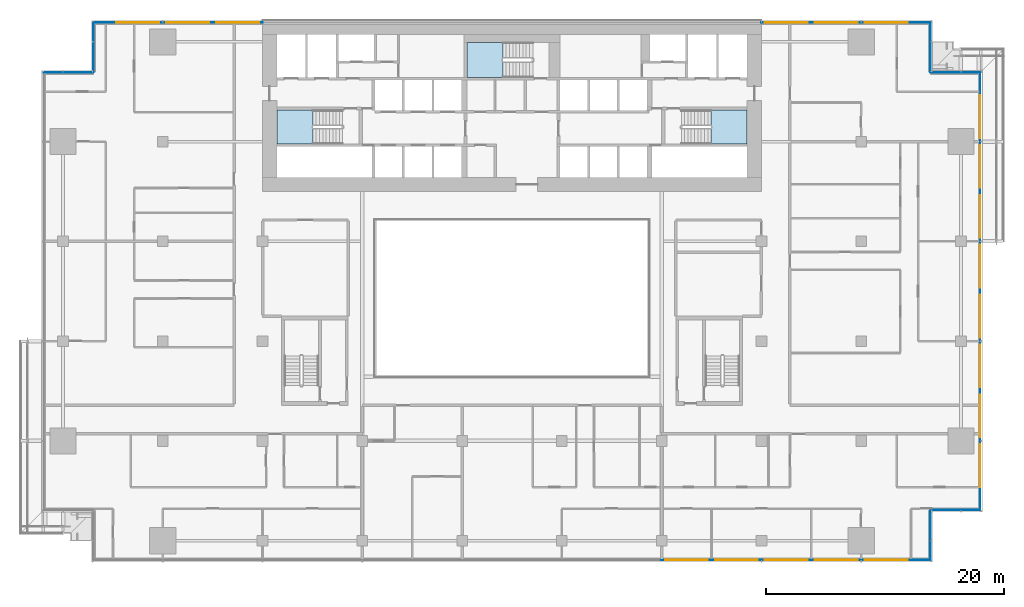
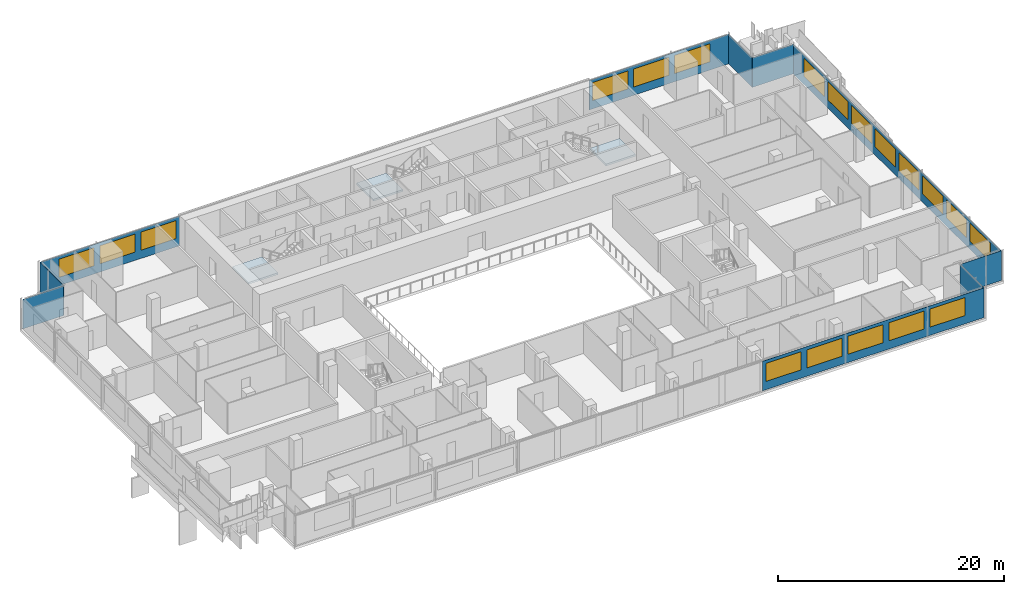
# One storey, part 15 of 27: 19 windows, 10 plates, 3 slabs, 19 openings, 12 elements without a shape of their own.
"""IFC4 building model written with IfcOpenShell, lengths in metres."""

from ifc_helpers import new_model, si_unit, direction, frame, frame_2d, origin, place, context, subcontext, project, spatial, polyline, rectangle, outline, extrude, material, layer, layer_set, type_object, element, fill, aggregate, save


model = new_model("IFC4")

# Units and contexts
model_context = context("Model", 3, precision=1e-05, world=origin(), true_north=direction((0.0, 1.0)))
body_context = subcontext(model_context, "Body", "Model", "MODEL_VIEW")
ifc_project = project(units=[si_unit("LENGTHUNIT", "METRE"), si_unit("AREAUNIT", "SQUARE_METRE"), si_unit("VOLUMEUNIT", "CUBIC_METRE"), si_unit("PLANEANGLEUNIT", "RADIAN"), si_unit("MASSUNIT", "GRAM", prefix="KILO")], contexts=[model_context])

# Site, building, storey
site_placement = place(None, origin())
site = spatial("IfcSite", under=ifc_project, at=site_placement, CompositionType="ELEMENT")
building_placement = place(site_placement, origin())
building = spatial("IfcBuilding", under=site, at=building_placement, Name="Saffron Gate Tower", CompositionType="ELEMENT")
storey_placement = place(building_placement, frame((0.0, 0.0, 76.800048828125)))
storey = spatial("IfcBuildingStorey", under=building, at=storey_placement, Name="L18", CompositionType="ELEMENT", Elevation=76.800048828125)

# Curtain wall, plate, openings, windows
ifc_material_1 = material(Name="Aluminium, bronze anodised", Category="aluminium")
curtain_wall_type_1 = type_object("IfcCurtainWallType", Name="CWS1 curtain wall front facade", PredefinedType="NOTDEFINED", material=ifc_material_1)
curtain_wall_1_placement = place(storey_placement, origin())
curtain_wall_1 = element("IfcCurtainWall", 1, at=curtain_wall_1_placement, inside=storey, type_object=curtain_wall_type_1, Name="CWS1 run 1", PredefinedType="NOTDEFINED")
ifc_material_2 = material(Name="Fritted bronze-tinted laminated glass", Category="glass")
ifc_layer_1 = layer(ifc_material_2, 0.028076171875)
ifc_layer_set_1 = layer_set([ifc_layer_1], Name="CWS1 fixed glass")
plate_type_1 = type_object("IfcPlateType", Name="CWS1 fixed glass", PredefinedType="CURTAIN_PANEL", material=ifc_layer_set_1)
plate_1_placement = place(storey_placement, frame((100.169921875, 30.174072265625, 0.0), z_axis=(0.0, 0.0, 1.0), x_axis=(1.0, 0.0, 0.0)))
plate_1 = element("IfcPlate", 2, at=plate_1_placement, type_object=plate_type_1, Name="CWS1 glass panel", PredefinedType="CURTAIN_PANEL", context=body_context, shape_type="SweptSolid", body=[
    extrude(rectangle(XDim=22.64208984375, YDim=0.028076171875, at=frame_2d((11.321044921875, 0.0))), origin(), (0.0, 0.0, 1.0), 3.199951171875),
])
opening_1_placement = place(plate_1_placement, frame((0.330078125, 0.0, 0.89990234375)))
opening_1 = element("IfcOpeningElement", 3, at=opening_1_placement, cuts=plate_1, Name="Opening W1", PredefinedType="OPENING", context=body_context, shape_type="SweptSolid", body=[
    extrude(rectangle(XDim=3.60009765625, YDim=1.949951171875, at=frame_2d((1.800048828125, 0.97509765625))), frame((0.0, 0.02392578125, 0.0), z_axis=(0.0, -1.0, 0.0), x_axis=(1.0, 0.0, 0.0)), (0.0, 0.0, 1.0), 0.048095703125),
])
opening_2_placement = place(plate_1_placement, frame((4.530029296875, 0.0, 0.89990234375)))
opening_2 = element("IfcOpeningElement", 4, at=opening_2_placement, cuts=plate_1, Name="Opening W1", PredefinedType="OPENING", context=body_context, shape_type="SweptSolid", body=[
    extrude(rectangle(XDim=3.60009765625, YDim=1.949951171875, at=frame_2d((1.800048828125, 0.97509765625))), frame((0.0, 0.02392578125, 0.0), z_axis=(0.0, -1.0, 0.0), x_axis=(1.0, 0.0, 0.0)), (0.0, 0.0, 1.0), 0.048095703125),
])
opening_3_placement = place(plate_1_placement, frame((8.72998046875, 0.0, 0.89990234375)))
opening_3 = element("IfcOpeningElement", 5, at=opening_3_placement, cuts=plate_1, Name="Opening W1", PredefinedType="OPENING", context=body_context, shape_type="SweptSolid", body=[
    extrude(rectangle(XDim=3.60009765625, YDim=1.949951171875, at=frame_2d((1.800048828125, 0.97509765625))), frame((0.0, 0.02392578125, 0.0), z_axis=(0.0, -1.0, 0.0), x_axis=(1.0, 0.0, 0.0)), (0.0, 0.0, 1.0), 0.048095703125),
])
opening_4_placement = place(plate_1_placement, frame((12.929931640625, 0.0, 0.89990234375)))
opening_4 = element("IfcOpeningElement", 6, at=opening_4_placement, cuts=plate_1, Name="Opening W1", PredefinedType="OPENING", context=body_context, shape_type="SweptSolid", body=[
    extrude(rectangle(XDim=3.60009765625, YDim=1.949951171875, at=frame_2d((1.800048828125, 0.97509765625))), frame((0.0, 0.02392578125, 0.0), z_axis=(0.0, -1.0, 0.0), x_axis=(1.0, 0.0, 0.0)), (0.0, 0.0, 1.0), 0.048095703125),
])
opening_5_placement = place(plate_1_placement, frame((17.1298828125, 0.0, 0.89990234375)))
opening_5 = element("IfcOpeningElement", 7, at=opening_5_placement, cuts=plate_1, Name="Opening W1", PredefinedType="OPENING", context=body_context, shape_type="SweptSolid", body=[
    extrude(rectangle(XDim=3.60009765625, YDim=1.949951171875, at=frame_2d((1.800048828125, 0.97509765625))), frame((0.0, 0.02392578125, 0.0), z_axis=(0.0, -1.0, 0.0), x_axis=(1.0, 0.0, 0.0)), (0.0, 0.0, 1.0), 0.048095703125),
])
ifc_material_3 = material(Name="Fritted bronze-tinted laminated glass in bronze frame", Category="glass")
ifc_layer_2 = layer(ifc_material_3, 0.06005859375)
ifc_layer_set_2 = layer_set([ifc_layer_2], Name="W1 operable panel 3600x1950")
window_type = type_object("IfcWindowType", Name="W1 operable panel 3600x1950", PartitioningType="DOUBLE_PANEL_HORIZONTAL", PredefinedType="WINDOW", material=ifc_layer_set_2)
window_1_placement = place(opening_1_placement, origin())
window_1 = element("IfcWindow", 8, at=window_1_placement, type_object=window_type, Name="W1 operable panel", OverallHeight=1.949951171875, OverallWidth=3.60009765625, PartitioningType="SINGLE_PANEL", PredefinedType="WINDOW", context=body_context, shape_type="SweptSolid", body=[
    extrude(rectangle(XDim=3.60009765625, YDim=1.949951171875, at=frame_2d((1.800048828125, 0.97509765625))), frame((0.0, 0.013671875, 0.0), z_axis=(0.0, -1.0, 0.0), x_axis=(1.0, 0.0, 0.0)), (0.0, 0.0, 1.0), 0.027587890625),
])
fill(opening_1, window_1)
window_2_placement = place(opening_2_placement, origin())
window_2 = element("IfcWindow", 9, at=window_2_placement, type_object=window_type, Name="W1 operable panel", OverallHeight=1.949951171875, OverallWidth=3.60009765625, PartitioningType="SINGLE_PANEL", PredefinedType="WINDOW", context=body_context, shape_type="SweptSolid", body=[
    extrude(rectangle(XDim=3.60009765625, YDim=1.949951171875, at=frame_2d((1.800048828125, 0.97509765625))), frame((0.0, 0.013671875, 0.0), z_axis=(0.0, -1.0, 0.0), x_axis=(1.0, 0.0, 0.0)), (0.0, 0.0, 1.0), 0.027587890625),
])
fill(opening_2, window_2)
window_3_placement = place(opening_3_placement, origin())
window_3 = element("IfcWindow", 10, at=window_3_placement, type_object=window_type, Name="W1 operable panel", OverallHeight=1.949951171875, OverallWidth=3.60009765625, PartitioningType="SINGLE_PANEL", PredefinedType="WINDOW", context=body_context, shape_type="SweptSolid", body=[
    extrude(rectangle(XDim=3.60009765625, YDim=1.949951171875, at=frame_2d((1.800048828125, 0.97509765625))), frame((0.0, 0.013671875, 0.0), z_axis=(0.0, -1.0, 0.0), x_axis=(1.0, 0.0, 0.0)), (0.0, 0.0, 1.0), 0.027587890625),
])
fill(opening_3, window_3)
window_4_placement = place(opening_4_placement, origin())
window_4 = element("IfcWindow", 11, at=window_4_placement, type_object=window_type, Name="W1 operable panel", OverallHeight=1.949951171875, OverallWidth=3.60009765625, PartitioningType="SINGLE_PANEL", PredefinedType="WINDOW", context=body_context, shape_type="SweptSolid", body=[
    extrude(rectangle(XDim=3.60009765625, YDim=1.949951171875, at=frame_2d((1.800048828125, 0.97509765625))), frame((0.0, 0.013671875, 0.0), z_axis=(0.0, -1.0, 0.0), x_axis=(1.0, 0.0, 0.0)), (0.0, 0.0, 1.0), 0.027587890625),
])
fill(opening_4, window_4)
window_5_placement = place(opening_5_placement, origin())
window_5 = element("IfcWindow", 12, at=window_5_placement, type_object=window_type, Name="W1 operable panel", OverallHeight=1.949951171875, OverallWidth=3.60009765625, PartitioningType="SINGLE_PANEL", PredefinedType="WINDOW", context=body_context, shape_type="SweptSolid", body=[
    extrude(rectangle(XDim=3.60009765625, YDim=1.949951171875, at=frame_2d((1.800048828125, 0.97509765625))), frame((0.0, 0.013671875, 0.0), z_axis=(0.0, -1.0, 0.0), x_axis=(1.0, 0.0, 0.0)), (0.0, 0.0, 1.0), 0.027587890625),
])
fill(opening_5, window_5)
aggregate(curtain_wall_1, [plate_1, window_1, window_2, window_3, window_4, window_5])

curtain_wall_type_2 = type_object("IfcCurtainWallType", Name="CWS2 curtain wall side facades", PredefinedType="NOTDEFINED", material=ifc_material_1)
curtain_wall_2_placement = place(storey_placement, origin())
curtain_wall_2 = element("IfcCurtainWall", 13, at=curtain_wall_2_placement, inside=storey, type_object=curtain_wall_type_2, Name="CWS2 run 4", PredefinedType="NOTDEFINED")
ifc_layer_3 = layer(ifc_material_2, 0.028076171875)
ifc_layer_set_3 = layer_set([ifc_layer_3], Name="CWS2 fixed glass")
plate_type_2 = type_object("IfcPlateType", Name="CWS2 fixed glass", PredefinedType="CURTAIN_PANEL", material=ifc_layer_set_3)
plate_2_placement = place(storey_placement, frame((127.02587890625, 34.387939453125, 0.0), z_axis=(0.0, 0.0, 1.0), x_axis=(0.0, 1.0, 0.0)))
plate_2 = element("IfcPlate", 14, at=plate_2_placement, type_object=plate_type_2, Name="CWS2 glass panel", PredefinedType="CURTAIN_PANEL", context=body_context, shape_type="SweptSolid", body=[
    extrude(rectangle(XDim=36.823974609375, YDim=0.028076171875, at=frame_2d((18.412109375, 0.0))), origin(), (0.0, 0.0, 1.0), 3.199951171875),
])
opening_6_placement = place(plate_2_placement, frame((1.912109375, 0.0, 0.89990234375)))
opening_6 = element("IfcOpeningElement", 15, at=opening_6_placement, cuts=plate_2, Name="Opening W1", PredefinedType="OPENING", context=body_context, shape_type="SweptSolid", body=[
    extrude(rectangle(XDim=3.60009765625, YDim=1.949951171875, at=frame_2d((1.800048828125, 0.97509765625))), frame((0.0, 0.02392578125, 0.0), z_axis=(0.0, -1.0, 0.0), x_axis=(1.0, 0.0, 0.0)), (0.0, 0.0, 1.0), 0.048095703125),
])
opening_7_placement = place(plate_2_placement, frame((6.112060546875, 0.0, 0.89990234375)))
opening_7 = element("IfcOpeningElement", 16, at=opening_7_placement, cuts=plate_2, Name="Opening W1", PredefinedType="OPENING", context=body_context, shape_type="SweptSolid", body=[
    extrude(rectangle(XDim=3.60009765625, YDim=1.949951171875, at=frame_2d((1.800048828125, 0.97509765625))), frame((0.0, 0.02392578125, 0.0), z_axis=(0.0, -1.0, 0.0), x_axis=(1.0, 0.0, 0.0)), (0.0, 0.0, 1.0), 0.048095703125),
])
opening_8_placement = place(plate_2_placement, frame((10.31201171875, 0.0, 0.89990234375)))
opening_8 = element("IfcOpeningElement", 17, at=opening_8_placement, cuts=plate_2, Name="Opening W1", PredefinedType="OPENING", context=body_context, shape_type="SweptSolid", body=[
    extrude(rectangle(XDim=3.60009765625, YDim=1.949951171875, at=frame_2d((1.800048828125, 0.97509765625))), frame((0.0, 0.02392578125, 0.0), z_axis=(0.0, -1.0, 0.0), x_axis=(1.0, 0.0, 0.0)), (0.0, 0.0, 1.0), 0.048095703125),
])
opening_9_placement = place(plate_2_placement, frame((14.511962890625, 0.0, 0.89990234375)))
opening_9 = element("IfcOpeningElement", 18, at=opening_9_placement, cuts=plate_2, Name="Opening W1", PredefinedType="OPENING", context=body_context, shape_type="SweptSolid", body=[
    extrude(rectangle(XDim=3.60009765625, YDim=1.949951171875, at=frame_2d((1.800048828125, 0.97509765625))), frame((0.0, 0.02392578125, 0.0), z_axis=(0.0, -1.0, 0.0), x_axis=(1.0, 0.0, 0.0)), (0.0, 0.0, 1.0), 0.048095703125),
])
opening_10_placement = place(plate_2_placement, frame((18.7119140625, 0.0, 0.89990234375)))
opening_10 = element("IfcOpeningElement", 19, at=opening_10_placement, cuts=plate_2, Name="Opening W1", PredefinedType="OPENING", context=body_context, shape_type="SweptSolid", body=[
    extrude(rectangle(XDim=3.60009765625, YDim=1.949951171875, at=frame_2d((1.800048828125, 0.97509765625))), frame((0.0, 0.02392578125, 0.0), z_axis=(0.0, -1.0, 0.0), x_axis=(1.0, 0.0, 0.0)), (0.0, 0.0, 1.0), 0.048095703125),
])
opening_11_placement = place(plate_2_placement, frame((22.912109375, 0.0, 0.89990234375)))
opening_11 = element("IfcOpeningElement", 20, at=opening_11_placement, cuts=plate_2, Name="Opening W1", PredefinedType="OPENING", context=body_context, shape_type="SweptSolid", body=[
    extrude(rectangle(XDim=3.60009765625, YDim=1.949951171875, at=frame_2d((1.800048828125, 0.97509765625))), frame((0.0, 0.02392578125, 0.0), z_axis=(0.0, -1.0, 0.0), x_axis=(1.0, 0.0, 0.0)), (0.0, 0.0, 1.0), 0.048095703125),
])
opening_12_placement = place(plate_2_placement, frame((27.112060546875, 0.0, 0.89990234375)))
opening_12 = element("IfcOpeningElement", 21, at=opening_12_placement, cuts=plate_2, Name="Opening W1", PredefinedType="OPENING", context=body_context, shape_type="SweptSolid", body=[
    extrude(rectangle(XDim=3.60009765625, YDim=1.949951171875, at=frame_2d((1.800048828125, 0.97509765625))), frame((0.0, 0.02392578125, 0.0), z_axis=(0.0, -1.0, 0.0), x_axis=(1.0, 0.0, 0.0)), (0.0, 0.0, 1.0), 0.048095703125),
])
opening_13_placement = place(plate_2_placement, frame((31.31201171875, 0.0, 0.89990234375)))
opening_13 = element("IfcOpeningElement", 22, at=opening_13_placement, cuts=plate_2, Name="Opening W1", PredefinedType="OPENING", context=body_context, shape_type="SweptSolid", body=[
    extrude(rectangle(XDim=3.60009765625, YDim=1.949951171875, at=frame_2d((1.800048828125, 0.97509765625))), frame((0.0, 0.02392578125, 0.0), z_axis=(0.0, -1.0, 0.0), x_axis=(1.0, 0.0, 0.0)), (0.0, 0.0, 1.0), 0.048095703125),
])
window_6_placement = place(opening_6_placement, origin())
window_6 = element("IfcWindow", 23, at=window_6_placement, type_object=window_type, Name="W1 operable panel", OverallHeight=1.949951171875, OverallWidth=3.60009765625, PartitioningType="SINGLE_PANEL", PredefinedType="WINDOW", context=body_context, shape_type="SweptSolid", body=[
    extrude(rectangle(XDim=3.60009765625, YDim=1.949951171875, at=frame_2d((1.800048828125, 0.97509765625))), frame((0.0, 0.013671875, 0.0), z_axis=(0.0, -1.0, 0.0), x_axis=(1.0, 0.0, 0.0)), (0.0, 0.0, 1.0), 0.027587890625),
])
fill(opening_6, window_6)
window_7_placement = place(opening_7_placement, origin())
window_7 = element("IfcWindow", 24, at=window_7_placement, type_object=window_type, Name="W1 operable panel", OverallHeight=1.949951171875, OverallWidth=3.60009765625, PartitioningType="SINGLE_PANEL", PredefinedType="WINDOW", context=body_context, shape_type="SweptSolid", body=[
    extrude(rectangle(XDim=3.60009765625, YDim=1.949951171875, at=frame_2d((1.800048828125, 0.97509765625))), frame((0.0, 0.013671875, 0.0), z_axis=(0.0, -1.0, 0.0), x_axis=(1.0, 0.0, 0.0)), (0.0, 0.0, 1.0), 0.027587890625),
])
fill(opening_7, window_7)
window_8_placement = place(opening_8_placement, origin())
window_8 = element("IfcWindow", 25, at=window_8_placement, type_object=window_type, Name="W1 operable panel", OverallHeight=1.949951171875, OverallWidth=3.60009765625, PartitioningType="SINGLE_PANEL", PredefinedType="WINDOW", context=body_context, shape_type="SweptSolid", body=[
    extrude(rectangle(XDim=3.60009765625, YDim=1.949951171875, at=frame_2d((1.800048828125, 0.97509765625))), frame((0.0, 0.013671875, 0.0), z_axis=(0.0, -1.0, 0.0), x_axis=(1.0, 0.0, 0.0)), (0.0, 0.0, 1.0), 0.027587890625),
])
fill(opening_8, window_8)
window_9_placement = place(opening_9_placement, origin())
window_9 = element("IfcWindow", 26, at=window_9_placement, type_object=window_type, Name="W1 operable panel", OverallHeight=1.949951171875, OverallWidth=3.60009765625, PartitioningType="SINGLE_PANEL", PredefinedType="WINDOW", context=body_context, shape_type="SweptSolid", body=[
    extrude(rectangle(XDim=3.60009765625, YDim=1.949951171875, at=frame_2d((1.800048828125, 0.97509765625))), frame((0.0, 0.013671875, 0.0), z_axis=(0.0, -1.0, 0.0), x_axis=(1.0, 0.0, 0.0)), (0.0, 0.0, 1.0), 0.027587890625),
])
fill(opening_9, window_9)
window_10_placement = place(opening_10_placement, origin())
window_10 = element("IfcWindow", 27, at=window_10_placement, type_object=window_type, Name="W1 operable panel", OverallHeight=1.949951171875, OverallWidth=3.60009765625, PartitioningType="SINGLE_PANEL", PredefinedType="WINDOW", context=body_context, shape_type="SweptSolid", body=[
    extrude(rectangle(XDim=3.60009765625, YDim=1.949951171875, at=frame_2d((1.800048828125, 0.97509765625))), frame((0.0, 0.013671875, 0.0), z_axis=(0.0, -1.0, 0.0), x_axis=(1.0, 0.0, 0.0)), (0.0, 0.0, 1.0), 0.027587890625),
])
fill(opening_10, window_10)
window_11_placement = place(opening_11_placement, origin())
window_11 = element("IfcWindow", 28, at=window_11_placement, type_object=window_type, Name="W1 operable panel", OverallHeight=1.949951171875, OverallWidth=3.60009765625, PartitioningType="SINGLE_PANEL", PredefinedType="WINDOW", context=body_context, shape_type="SweptSolid", body=[
    extrude(rectangle(XDim=3.60009765625, YDim=1.949951171875, at=frame_2d((1.800048828125, 0.97509765625))), frame((0.0, 0.013671875, 0.0), z_axis=(0.0, -1.0, 0.0), x_axis=(1.0, 0.0, 0.0)), (0.0, 0.0, 1.0), 0.027587890625),
])
fill(opening_11, window_11)
window_12_placement = place(opening_12_placement, origin())
window_12 = element("IfcWindow", 29, at=window_12_placement, type_object=window_type, Name="W1 operable panel", OverallHeight=1.949951171875, OverallWidth=3.60009765625, PartitioningType="SINGLE_PANEL", PredefinedType="WINDOW", context=body_context, shape_type="SweptSolid", body=[
    extrude(rectangle(XDim=3.60009765625, YDim=1.949951171875, at=frame_2d((1.800048828125, 0.97509765625))), frame((0.0, 0.013671875, 0.0), z_axis=(0.0, -1.0, 0.0), x_axis=(1.0, 0.0, 0.0)), (0.0, 0.0, 1.0), 0.027587890625),
])
fill(opening_12, window_12)
window_13_placement = place(opening_13_placement, origin())
window_13 = element("IfcWindow", 30, at=window_13_placement, type_object=window_type, Name="W1 operable panel", OverallHeight=1.949951171875, OverallWidth=3.60009765625, PartitioningType="SINGLE_PANEL", PredefinedType="WINDOW", context=body_context, shape_type="SweptSolid", body=[
    extrude(rectangle(XDim=3.60009765625, YDim=1.949951171875, at=frame_2d((1.800048828125, 0.97509765625))), frame((0.0, 0.013671875, 0.0), z_axis=(0.0, -1.0, 0.0), x_axis=(1.0, 0.0, 0.0)), (0.0, 0.0, 1.0), 0.027587890625),
])
fill(opening_13, window_13)
aggregate(curtain_wall_2, [plate_2, window_6, window_7, window_8, window_9, window_10, window_11, window_12, window_13])

# Curtain wall, plates, openings, windows
curtain_wall_type_3 = type_object("IfcCurtainWallType", Name="CWS3 curtain wall rear facade", PredefinedType="NOTDEFINED", material=ifc_material_1)
curtain_wall_3_placement = place(storey_placement, origin())
curtain_wall_3 = element("IfcCurtainWall", 31, at=curtain_wall_3_placement, inside=storey, type_object=curtain_wall_type_3, Name="CWS3 run 7", PredefinedType="NOTDEFINED")
ifc_material_4 = material(Name="Fritted grey-tinted laminated glass", Category="glass")
ifc_layer_4 = layer(ifc_material_4, 0.028076171875)
ifc_layer_set_4 = layer_set([ifc_layer_4], Name="CWS3 fixed glass")
plate_type_3 = type_object("IfcPlateType", Name="CWS3 fixed glass", PredefinedType="CURTAIN_PANEL", material=ifc_layer_set_4)
plate_3_placement = place(storey_placement, frame((122.81201171875, 75.426025390625, 0.0), z_axis=(0.0, 0.0, 1.0), x_axis=(-1.0, 0.0, 0.0)))
plate_3 = element("IfcPlate", 32, at=plate_3_placement, type_object=plate_type_3, Name="CWS3 glass panel", PredefinedType="CURTAIN_PANEL", context=body_context, shape_type="SweptSolid", body=[
    extrude(rectangle(XDim=14.2470703125, YDim=0.028076171875, at=frame_2d((7.12353515625, 0.0))), origin(), (0.0, 0.0, 1.0), 3.199951171875),
])
opening_14_placement = place(plate_3_placement, frame((1.912109375, 0.0, 0.89990234375)))
opening_14 = element("IfcOpeningElement", 33, at=opening_14_placement, cuts=plate_3, Name="Opening W1", PredefinedType="OPENING", context=body_context, shape_type="SweptSolid", body=[
    extrude(rectangle(XDim=3.60009765625, YDim=1.949951171875, at=frame_2d((1.800048828125, 0.97509765625))), frame((0.0, 0.02392578125, 0.0), z_axis=(0.0, -1.0, 0.0), x_axis=(1.0, 0.0, 0.0)), (0.0, 0.0, 1.0), 0.048095703125),
])
opening_15_placement = place(plate_3_placement, frame((6.112060546875, 0.0, 0.89990234375)))
opening_15 = element("IfcOpeningElement", 34, at=opening_15_placement, cuts=plate_3, Name="Opening W1", PredefinedType="OPENING", context=body_context, shape_type="SweptSolid", body=[
    extrude(rectangle(XDim=3.60009765625, YDim=1.949951171875, at=frame_2d((1.800048828125, 0.97509765625))), frame((0.0, 0.02392578125, 0.0), z_axis=(0.0, -1.0, 0.0), x_axis=(1.0, 0.0, 0.0)), (0.0, 0.0, 1.0), 0.048095703125),
])
opening_16_placement = place(plate_3_placement, frame((10.31201171875, 0.0, 0.89990234375)))
opening_16 = element("IfcOpeningElement", 35, at=opening_16_placement, cuts=plate_3, Name="Opening W1", PredefinedType="OPENING", context=body_context, shape_type="SweptSolid", body=[
    extrude(rectangle(XDim=3.60009765625, YDim=1.949951171875, at=frame_2d((1.800048828125, 0.97509765625))), frame((0.0, 0.02392578125, 0.0), z_axis=(0.0, -1.0, 0.0), x_axis=(1.0, 0.0, 0.0)), (0.0, 0.0, 1.0), 0.048095703125),
])
window_14_placement = place(opening_14_placement, origin())
window_14 = element("IfcWindow", 36, at=window_14_placement, type_object=window_type, Name="W1 operable panel", OverallHeight=1.949951171875, OverallWidth=3.60009765625, PartitioningType="SINGLE_PANEL", PredefinedType="WINDOW", context=body_context, shape_type="SweptSolid", body=[
    extrude(rectangle(XDim=3.60009765625, YDim=1.949951171875, at=frame_2d((1.800048828125, 0.97509765625))), frame((0.0, 0.013671875, 0.0), z_axis=(0.0, -1.0, 0.0), x_axis=(1.0, 0.0, 0.0)), (0.0, 0.0, 1.0), 0.027587890625),
])
fill(opening_14, window_14)
window_15_placement = place(opening_15_placement, origin())
window_15 = element("IfcWindow", 37, at=window_15_placement, type_object=window_type, Name="W1 operable panel", OverallHeight=1.949951171875, OverallWidth=3.60009765625, PartitioningType="SINGLE_PANEL", PredefinedType="WINDOW", context=body_context, shape_type="SweptSolid", body=[
    extrude(rectangle(XDim=3.60009765625, YDim=1.949951171875, at=frame_2d((1.800048828125, 0.97509765625))), frame((0.0, 0.013671875, 0.0), z_axis=(0.0, -1.0, 0.0), x_axis=(1.0, 0.0, 0.0)), (0.0, 0.0, 1.0), 0.027587890625),
])
fill(opening_15, window_15)
window_16_placement = place(opening_16_placement, origin())
window_16 = element("IfcWindow", 38, at=window_16_placement, type_object=window_type, Name="W1 operable panel", OverallHeight=1.949951171875, OverallWidth=3.60009765625, PartitioningType="SINGLE_PANEL", PredefinedType="WINDOW", context=body_context, shape_type="SweptSolid", body=[
    extrude(rectangle(XDim=3.60009765625, YDim=1.949951171875, at=frame_2d((1.800048828125, 0.97509765625))), frame((0.0, 0.013671875, 0.0), z_axis=(0.0, -1.0, 0.0), x_axis=(1.0, 0.0, 0.0)), (0.0, 0.0, 1.0), 0.027587890625),
])
fill(opening_16, window_16)
plate_4_placement = place(storey_placement, frame((66.635009765625, 75.426025390625, 0.0), z_axis=(0.0, 0.0, 1.0), x_axis=(-1.0, 0.0, 0.0)))
plate_4 = element("IfcPlate", 39, at=plate_4_placement, type_object=plate_type_3, Name="CWS3 glass panel", PredefinedType="CURTAIN_PANEL", context=body_context, shape_type="SweptSolid", body=[
    extrude(rectangle(XDim=14.2470703125, YDim=0.028076171875, at=frame_2d((7.12353515625, 0.0))), origin(), (0.0, 0.0, 1.0), 3.199951171875),
])
opening_17_placement = place(plate_4_placement, frame((0.3349609375, 0.0, 0.89990234375)))
opening_17 = element("IfcOpeningElement", 40, at=opening_17_placement, cuts=plate_4, Name="Opening W1", PredefinedType="OPENING", context=body_context, shape_type="SweptSolid", body=[
    extrude(rectangle(XDim=3.60009765625, YDim=1.949951171875, at=frame_2d((1.800048828125, 0.97509765625))), frame((0.0, 0.02392578125, 0.0), z_axis=(0.0, -1.0, 0.0), x_axis=(1.0, 0.0, 0.0)), (0.0, 0.0, 1.0), 0.048095703125),
])
opening_18_placement = place(plate_4_placement, frame((4.534912109375, 0.0, 0.89990234375)))
opening_18 = element("IfcOpeningElement", 41, at=opening_18_placement, cuts=plate_4, Name="Opening W1", PredefinedType="OPENING", context=body_context, shape_type="SweptSolid", body=[
    extrude(rectangle(XDim=3.60009765625, YDim=1.949951171875, at=frame_2d((1.800048828125, 0.97509765625))), frame((0.0, 0.02392578125, 0.0), z_axis=(0.0, -1.0, 0.0), x_axis=(1.0, 0.0, 0.0)), (0.0, 0.0, 1.0), 0.048095703125),
])
opening_19_placement = place(plate_4_placement, frame((8.735107421875, 0.0, 0.89990234375)))
opening_19 = element("IfcOpeningElement", 42, at=opening_19_placement, cuts=plate_4, Name="Opening W1", PredefinedType="OPENING", context=body_context, shape_type="SweptSolid", body=[
    extrude(rectangle(XDim=3.60009765625, YDim=1.949951171875, at=frame_2d((1.800048828125, 0.97509765625))), frame((0.0, 0.02392578125, 0.0), z_axis=(0.0, -1.0, 0.0), x_axis=(1.0, 0.0, 0.0)), (0.0, 0.0, 1.0), 0.048095703125),
])
window_17_placement = place(opening_17_placement, origin())
window_17 = element("IfcWindow", 43, at=window_17_placement, type_object=window_type, Name="W1 operable panel", OverallHeight=1.949951171875, OverallWidth=3.60009765625, PartitioningType="SINGLE_PANEL", PredefinedType="WINDOW", context=body_context, shape_type="SweptSolid", body=[
    extrude(rectangle(XDim=3.60009765625, YDim=1.949951171875, at=frame_2d((1.800048828125, 0.97509765625))), frame((0.0, 0.013671875, 0.0), z_axis=(0.0, -1.0, 0.0), x_axis=(1.0, 0.0, 0.0)), (0.0, 0.0, 1.0), 0.027587890625),
])
fill(opening_17, window_17)
window_18_placement = place(opening_18_placement, origin())
window_18 = element("IfcWindow", 44, at=window_18_placement, type_object=window_type, Name="W1 operable panel", OverallHeight=1.949951171875, OverallWidth=3.60009765625, PartitioningType="SINGLE_PANEL", PredefinedType="WINDOW", context=body_context, shape_type="SweptSolid", body=[
    extrude(rectangle(XDim=3.60009765625, YDim=1.949951171875, at=frame_2d((1.800048828125, 0.97509765625))), frame((0.0, 0.013671875, 0.0), z_axis=(0.0, -1.0, 0.0), x_axis=(1.0, 0.0, 0.0)), (0.0, 0.0, 1.0), 0.027587890625),
])
fill(opening_18, window_18)
window_19_placement = place(opening_19_placement, origin())
window_19 = element("IfcWindow", 45, at=window_19_placement, type_object=window_type, Name="W1 operable panel", OverallHeight=1.949951171875, OverallWidth=3.60009765625, PartitioningType="SINGLE_PANEL", PredefinedType="WINDOW", context=body_context, shape_type="SweptSolid", body=[
    extrude(rectangle(XDim=3.60009765625, YDim=1.949951171875, at=frame_2d((1.800048828125, 0.97509765625))), frame((0.0, 0.013671875, 0.0), z_axis=(0.0, -1.0, 0.0), x_axis=(1.0, 0.0, 0.0)), (0.0, 0.0, 1.0), 0.027587890625),
])
fill(opening_19, window_19)
aggregate(curtain_wall_3, [plate_3, plate_4, window_14, window_15, window_16, window_17, window_18, window_19])

# Curtain wall, plate
curtain_wall_type_4 = type_object("IfcCurtainWallType", Name="CWS4 curtain wall corner returns", PredefinedType="NOTDEFINED", material=ifc_material_1)
curtain_wall_4_placement = place(storey_placement, origin())
curtain_wall_4 = element("IfcCurtainWall", 46, at=curtain_wall_4_placement, inside=storey, type_object=curtain_wall_type_4, Name="CWS4 run 2", PredefinedType="NOTDEFINED")
ifc_layer_5 = layer(ifc_material_2, 0.028076171875)
ifc_layer_set_5 = layer_set([ifc_layer_5], Name="CWS4 fixed glass")
plate_type_4 = type_object("IfcPlateType", Name="CWS4 fixed glass", PredefinedType="CURTAIN_PANEL", material=ifc_layer_set_5)
plate_5_placement = place(storey_placement, frame((122.825927734375, 30.18798828125, 0.0), z_axis=(0.0, 0.0, 1.0), x_axis=(0.0, 1.0, 0.0)))
plate_5 = element("IfcPlate", 47, at=plate_5_placement, type_object=plate_type_4, Name="CWS4 glass panel", PredefinedType="CURTAIN_PANEL", context=body_context, shape_type="SweptSolid", body=[
    extrude(rectangle(XDim=4.172119140625, YDim=0.028076171875, at=frame_2d((2.0859375, 0.0))), origin(), (0.0, 0.0, 1.0), 3.199951171875),
])
aggregate(curtain_wall_4, [plate_5])

curtain_wall_5_placement = place(storey_placement, origin())
curtain_wall_5 = element("IfcCurtainWall", 48, at=curtain_wall_5_placement, inside=storey, type_object=curtain_wall_type_4, Name="CWS4 run 3", PredefinedType="NOTDEFINED")
plate_6_placement = place(storey_placement, frame((122.840087890625, 34.3740234375, 0.0), z_axis=(0.0, 0.0, 1.0), x_axis=(1.0, 0.0, 0.0)))
plate_6 = element("IfcPlate", 49, at=plate_6_placement, type_object=plate_type_4, Name="CWS4 glass panel", PredefinedType="CURTAIN_PANEL", context=body_context, shape_type="SweptSolid", body=[
    extrude(rectangle(XDim=4.171875, YDim=0.028076171875, at=frame_2d((2.0859375, 0.0))), origin(), (0.0, 0.0, 1.0), 3.199951171875),
])
aggregate(curtain_wall_5, [plate_6])

curtain_wall_6_placement = place(storey_placement, origin())
curtain_wall_6 = element("IfcCurtainWall", 50, at=curtain_wall_6_placement, inside=storey, type_object=curtain_wall_type_4, Name="CWS4 run 5", PredefinedType="NOTDEFINED")
plate_7_placement = place(storey_placement, frame((127.011962890625, 71.22607421875, 0.0), z_axis=(0.0, 0.0, 1.0), x_axis=(-1.0, 0.0, 0.0)))
plate_7 = element("IfcPlate", 51, at=plate_7_placement, type_object=plate_type_4, Name="CWS4 glass panel", PredefinedType="CURTAIN_PANEL", context=body_context, shape_type="SweptSolid", body=[
    extrude(rectangle(XDim=4.171875, YDim=0.028076171875, at=frame_2d((2.0859375, 0.0))), origin(), (0.0, 0.0, 1.0), 3.199951171875),
])
aggregate(curtain_wall_6, [plate_7])

curtain_wall_7_placement = place(storey_placement, origin())
curtain_wall_7 = element("IfcCurtainWall", 52, at=curtain_wall_7_placement, inside=storey, type_object=curtain_wall_type_4, Name="CWS4 run 6", PredefinedType="NOTDEFINED")
plate_8_placement = place(storey_placement, frame((122.825927734375, 71.239990234375, 0.0), z_axis=(0.0, 0.0, 1.0), x_axis=(0.0, 1.0, 0.0)))
plate_8 = element("IfcPlate", 53, at=plate_8_placement, type_object=plate_type_4, Name="CWS4 glass panel", PredefinedType="CURTAIN_PANEL", context=body_context, shape_type="SweptSolid", body=[
    extrude(rectangle(XDim=4.172119140625, YDim=0.028076171875, at=frame_2d((2.0859375, 0.0))), origin(), (0.0, 0.0, 1.0), 3.199951171875),
])
aggregate(curtain_wall_7, [plate_8])

curtain_wall_8_placement = place(storey_placement, origin())
curtain_wall_8 = element("IfcCurtainWall", 54, at=curtain_wall_8_placement, inside=storey, type_object=curtain_wall_type_4, Name="CWS4 run 8", PredefinedType="NOTDEFINED")
plate_9_placement = place(storey_placement, frame((52.3740234375, 75.412109375, 0.0), z_axis=(0.0, 0.0, 1.0), x_axis=(0.0, -1.0, 0.0)))
plate_9 = element("IfcPlate", 55, at=plate_9_placement, type_object=plate_type_4, Name="CWS4 glass panel", PredefinedType="CURTAIN_PANEL", context=body_context, shape_type="SweptSolid", body=[
    extrude(rectangle(XDim=4.172119140625, YDim=0.028076171875, at=frame_2d((2.0859375, 0.0))), origin(), (0.0, 0.0, 1.0), 3.199951171875),
])
aggregate(curtain_wall_8, [plate_9])

curtain_wall_9_placement = place(storey_placement, origin())
curtain_wall_9 = element("IfcCurtainWall", 56, at=curtain_wall_9_placement, inside=storey, type_object=curtain_wall_type_4, Name="CWS4 run 9", PredefinedType="NOTDEFINED")
plate_10_placement = place(storey_placement, frame((52.360107421875, 71.22607421875, 0.0), z_axis=(0.0, 0.0, 1.0), x_axis=(-1.0, 0.0, 0.0)))
plate_10 = element("IfcPlate", 57, at=plate_10_placement, type_object=plate_type_4, Name="CWS4 glass panel", PredefinedType="CURTAIN_PANEL", context=body_context, shape_type="SweptSolid", body=[
    extrude(rectangle(XDim=4.172119140625, YDim=0.028076171875, at=frame_2d((2.0859375, 0.0))), origin(), (0.0, 0.0, 1.0), 3.199951171875),
])
aggregate(curtain_wall_9, [plate_10])

# Stair, slab
ifc_material_5 = material(Name="Concrete C40", Category="concrete")
stair_type = type_object("IfcStairType", Name="ST7 Stair 1350 wide, 20 risers of 180", PredefinedType="HALF_TURN_STAIR", material=ifc_material_5)
stair_1_placement = place(storey_placement, origin())
stair_1 = element("IfcStair", 58, at=stair_1_placement, inside=storey, type_object=stair_type, Name="L18 Exit stair A", PredefinedType="HALF_TURN_STAIR")
ifc_layer_6 = layer(ifc_material_5, 0.199951171875)
ifc_layer_set_6 = layer_set([ifc_layer_6], Name="SL1 Stair landing 200")
slab_type = type_object("IfcSlabType", Name="SL1 Stair landing 200", PredefinedType="LANDING", material=ifc_layer_set_6)
slab_1_placement = place(storey_placement, frame((0.0, 0.0, 1.599853515625)))
slab_1 = element("IfcSlab", 59, at=slab_1_placement, type_object=slab_type, Name="ST-A landing 1", PredefinedType="LANDING", context=body_context, shape_type="SweptSolid", body=[
    extrude(outline(polyline([(70.830078125, 68.050048828125), (67.800048828125, 68.050048828125), (67.800048828125, 65.199951171875), (70.830078125, 65.199951171875), (70.830078125, 68.050048828125)])), origin(), (0.0, 0.0, 1.0), 0.2001953125),
])
aggregate(stair_1, [slab_1])

stair_2_placement = place(storey_placement, origin())
stair_2 = element("IfcStair", 60, at=stair_2_placement, inside=storey, type_object=stair_type, Name="L18 Exit stair B", PredefinedType="HALF_TURN_STAIR")
slab_2_placement = place(storey_placement, frame((0.0, 0.0, 1.599853515625)))
slab_2 = element("IfcSlab", 61, at=slab_2_placement, type_object=slab_type, Name="ST-B landing 1", PredefinedType="LANDING", context=body_context, shape_type="SweptSolid", body=[
    extrude(outline(polyline([(104.3701171875, 65.199951171875), (107.39990234375, 65.199951171875), (107.39990234375, 68.050048828125), (104.3701171875, 68.050048828125), (104.3701171875, 65.199951171875)])), origin(), (0.0, 0.0, 1.0), 0.2001953125),
])
aggregate(stair_2, [slab_2])

stair_3_placement = place(storey_placement, origin())
stair_3 = element("IfcStair", 62, at=stair_3_placement, inside=storey, type_object=stair_type, Name="L18 Exit stair C", PredefinedType="HALF_TURN_STAIR")
slab_3_placement = place(storey_placement, frame((0.0, 0.0, 1.599853515625)))
slab_3 = element("IfcSlab", 63, at=slab_3_placement, type_object=slab_type, Name="ST-C landing 1", PredefinedType="LANDING", context=body_context, shape_type="SweptSolid", body=[
    extrude(outline(polyline([(86.830078125, 73.75), (83.800048828125, 73.75), (83.800048828125, 70.800048828125), (86.830078125, 70.800048828125), (86.830078125, 73.75)])), origin(), (0.0, 0.0, 1.0), 0.2001953125),
])
aggregate(stair_3, [slab_3])

save(model, "model.ifc")
